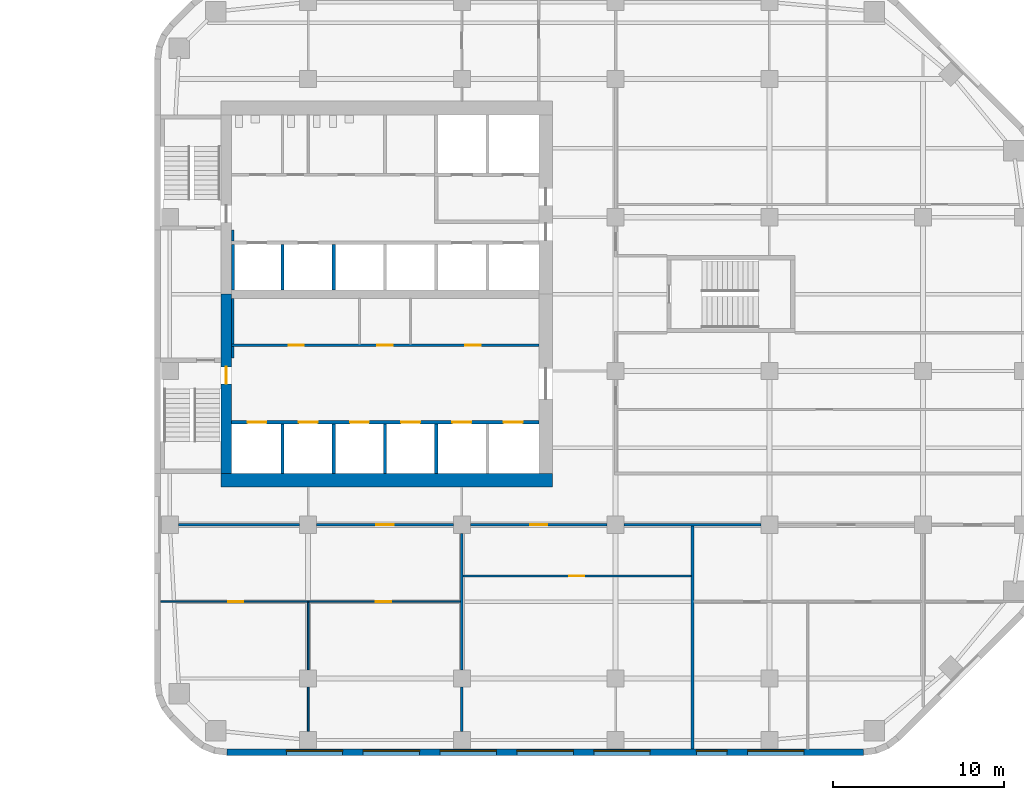
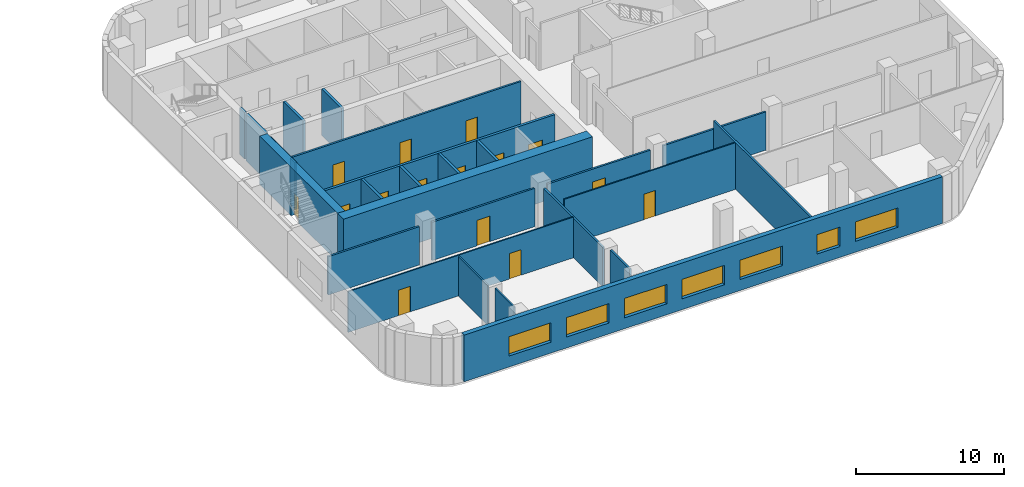
# One storey, part 8 of 14: 26 walls, 15 doors, 7 windows, 22 openings.
"""IFC4 building model written with IfcOpenShell, lengths in metres."""

from ifc_helpers import new_model, si_unit, direction, frame, frame_2d, origin, place, context, subcontext, project, spatial, rectangle, extrude, material, layer, layer_set, type_object, element, fill, save


model = new_model("IFC4")

# Units and contexts
model_context = context("Model", 3, precision=1e-05, world=origin(), true_north=direction((0.0, 1.0)))
body_context = subcontext(model_context, "Body", "Model", "MODEL_VIEW")
ifc_project = project(units=[si_unit("LENGTHUNIT", "METRE"), si_unit("AREAUNIT", "SQUARE_METRE"), si_unit("VOLUMEUNIT", "CUBIC_METRE"), si_unit("PLANEANGLEUNIT", "RADIAN"), si_unit("MASSUNIT", "GRAM", prefix="KILO")], contexts=[model_context])

# Site, building, storey
site_placement = place(None, origin())
site = spatial("IfcSite", under=ifc_project, at=site_placement, CompositionType="ELEMENT")
building_placement = place(site_placement, origin())
building = spatial("IfcBuilding", under=site, at=building_placement, Name="Cinnabar Reach Civic Tower", CompositionType="ELEMENT")
storey_placement = place(building_placement, frame((0.0, 0.0, 104.0)))
storey = spatial("IfcBuildingStorey", under=building, at=storey_placement, Name="L24", CompositionType="ELEMENT", Elevation=104.0)

# Wall, openings, windows
ifc_material_1 = material(Name="Facing brick with insulated backing", Category="masonry")
ifc_layer_1 = layer(ifc_material_1, 0.36)
ifc_layer_set_1 = layer_set([ifc_layer_1], Name="Brick pier and spandrel wall")
wall_type_1 = type_object("IfcWallType", Name="Brick pier and spandrel wall", PredefinedType="STANDARD", material=ifc_layer_set_1)
wall_1_placement = place(storey_placement, frame((4.2426, 4.68, 0.0), z_axis=(0.0, 0.0, 1.0), x_axis=(1.0, 0.0, 0.0)))
wall_1 = element("IfcWall", 1, at=wall_1_placement, inside=storey, type_object=wall_type_1, Name="Brick facade wall", PredefinedType="STANDARD", context=body_context, shape_type="SweptSolid", body=[
    extrude(rectangle(XDim=37.2648, YDim=0.36, at=frame_2d((18.6324, 0.0))), origin(), (0.0, 0.0, 1.0), 3.85),
])
opening_1_placement = place(wall_1_placement, frame((3.4824, 0.0, 0.9)))
opening_1 = element("IfcOpeningElement", 2, at=opening_1_placement, cuts=wall_1, Name="Opening W1501", PredefinedType="OPENING", context=body_context, shape_type="SweptSolid", body=[
    extrude(rectangle(XDim=3.3, YDim=1.6, at=frame_2d((1.65, 0.8))), frame((0.0, 0.19, 0.0), z_axis=(0.0, -1.0, 0.0), x_axis=(1.0, 0.0, 0.0)), (0.0, 0.0, 1.0), 0.38),
])
opening_2_placement = place(wall_1_placement, frame((7.9824, 0.0, 0.9)))
opening_2 = element("IfcOpeningElement", 3, at=opening_2_placement, cuts=wall_1, Name="Opening W1502", PredefinedType="OPENING", context=body_context, shape_type="SweptSolid", body=[
    extrude(rectangle(XDim=3.3, YDim=1.6, at=frame_2d((1.65, 0.8))), frame((0.0, 0.19, 0.0), z_axis=(0.0, -1.0, 0.0), x_axis=(1.0, 0.0, 0.0)), (0.0, 0.0, 1.0), 0.38),
])
opening_3_placement = place(wall_1_placement, frame((12.4824, 0.0, 0.9)))
opening_3 = element("IfcOpeningElement", 4, at=opening_3_placement, cuts=wall_1, Name="Opening W1503", PredefinedType="OPENING", context=body_context, shape_type="SweptSolid", body=[
    extrude(rectangle(XDim=3.3, YDim=1.6, at=frame_2d((1.65, 0.8))), frame((0.0, 0.19, 0.0), z_axis=(0.0, -1.0, 0.0), x_axis=(1.0, 0.0, 0.0)), (0.0, 0.0, 1.0), 0.38),
])
opening_4_placement = place(wall_1_placement, frame((16.9824, 0.0, 0.9)))
opening_4 = element("IfcOpeningElement", 5, at=opening_4_placement, cuts=wall_1, Name="Opening W1504", PredefinedType="OPENING", context=body_context, shape_type="SweptSolid", body=[
    extrude(rectangle(XDim=3.3, YDim=1.6, at=frame_2d((1.65, 0.8))), frame((0.0, 0.19, 0.0), z_axis=(0.0, -1.0, 0.0), x_axis=(1.0, 0.0, 0.0)), (0.0, 0.0, 1.0), 0.38),
])
opening_5_placement = place(wall_1_placement, frame((21.4824, 0.0, 0.9)))
opening_5 = element("IfcOpeningElement", 6, at=opening_5_placement, cuts=wall_1, Name="Opening W1505", PredefinedType="OPENING", context=body_context, shape_type="SweptSolid", body=[
    extrude(rectangle(XDim=3.3, YDim=1.6, at=frame_2d((1.65, 0.8))), frame((0.0, 0.19, 0.0), z_axis=(0.0, -1.0, 0.0), x_axis=(1.0, 0.0, 0.0)), (0.0, 0.0, 1.0), 0.38),
])
opening_6_placement = place(wall_1_placement, frame((27.4824, 0.0, 0.9)))
opening_6 = element("IfcOpeningElement", 7, at=opening_6_placement, cuts=wall_1, Name="Opening W1506", PredefinedType="OPENING", context=body_context, shape_type="SweptSolid", body=[
    extrude(rectangle(XDim=1.8, YDim=1.6, at=frame_2d((0.9, 0.8))), frame((0.0, 0.19, 0.0), z_axis=(0.0, -1.0, 0.0), x_axis=(1.0, 0.0, 0.0)), (0.0, 0.0, 1.0), 0.38),
])
opening_7_placement = place(wall_1_placement, frame((30.4824, 0.0, 0.9)))
opening_7 = element("IfcOpeningElement", 8, at=opening_7_placement, cuts=wall_1, Name="Opening W1507", PredefinedType="OPENING", context=body_context, shape_type="SweptSolid", body=[
    extrude(rectangle(XDim=3.3, YDim=1.6, at=frame_2d((1.65, 0.8))), frame((0.0, 0.19, 0.0), z_axis=(0.0, -1.0, 0.0), x_axis=(1.0, 0.0, 0.0)), (0.0, 0.0, 1.0), 0.38),
])
ifc_material_2 = material(Name="Clear double glazing in aluminium frame", Category="aluminium")
window_type_1 = type_object("IfcWindowType", Name="Deep-set window A", PartitioningType="SINGLE_PANEL", PredefinedType="WINDOW", material=ifc_material_2)
window_1_placement = place(opening_1_placement, origin())
window_1 = element("IfcWindow", 9, at=window_1_placement, inside=storey, type_object=window_type_1, Name="Window south face", OverallHeight=1.6, OverallWidth=3.3, PartitioningType="SINGLE_PANEL", PredefinedType="WINDOW", context=body_context, shape_type="SweptSolid", body=[
    extrude(rectangle(XDim=3.3, YDim=1.6, at=frame_2d((1.65, 0.8))), frame((0.0, 0.13, 0.0), z_axis=(0.0, -1.0, 0.0), x_axis=(1.0, 0.0, 0.0)), (0.0, 0.0, 1.0), 0.06),
])
fill(opening_1, window_1)
window_2_placement = place(opening_2_placement, origin())
window_2 = element("IfcWindow", 10, at=window_2_placement, inside=storey, type_object=window_type_1, Name="Window south face", OverallHeight=1.6, OverallWidth=3.3, PartitioningType="SINGLE_PANEL", PredefinedType="WINDOW", context=body_context, shape_type="SweptSolid", body=[
    extrude(rectangle(XDim=3.3, YDim=1.6, at=frame_2d((1.65, 0.8))), frame((0.0, 0.13, 0.0), z_axis=(0.0, -1.0, 0.0), x_axis=(1.0, 0.0, 0.0)), (0.0, 0.0, 1.0), 0.06),
])
fill(opening_2, window_2)
window_3_placement = place(opening_3_placement, origin())
window_3 = element("IfcWindow", 11, at=window_3_placement, inside=storey, type_object=window_type_1, Name="Window south face", OverallHeight=1.6, OverallWidth=3.3, PartitioningType="SINGLE_PANEL", PredefinedType="WINDOW", context=body_context, shape_type="SweptSolid", body=[
    extrude(rectangle(XDim=3.3, YDim=1.6, at=frame_2d((1.65, 0.8))), frame((0.0, 0.13, 0.0), z_axis=(0.0, -1.0, 0.0), x_axis=(1.0, 0.0, 0.0)), (0.0, 0.0, 1.0), 0.06),
])
fill(opening_3, window_3)
window_4_placement = place(opening_4_placement, origin())
window_4 = element("IfcWindow", 12, at=window_4_placement, inside=storey, type_object=window_type_1, Name="Window south face", OverallHeight=1.6, OverallWidth=3.3, PartitioningType="SINGLE_PANEL", PredefinedType="WINDOW", context=body_context, shape_type="SweptSolid", body=[
    extrude(rectangle(XDim=3.3, YDim=1.6, at=frame_2d((1.65, 0.8))), frame((0.0, 0.13, 0.0), z_axis=(0.0, -1.0, 0.0), x_axis=(1.0, 0.0, 0.0)), (0.0, 0.0, 1.0), 0.06),
])
fill(opening_4, window_4)
window_5_placement = place(opening_5_placement, origin())
window_5 = element("IfcWindow", 13, at=window_5_placement, inside=storey, type_object=window_type_1, Name="Window south face", OverallHeight=1.6, OverallWidth=3.3, PartitioningType="SINGLE_PANEL", PredefinedType="WINDOW", context=body_context, shape_type="SweptSolid", body=[
    extrude(rectangle(XDim=3.3, YDim=1.6, at=frame_2d((1.65, 0.8))), frame((0.0, 0.13, 0.0), z_axis=(0.0, -1.0, 0.0), x_axis=(1.0, 0.0, 0.0)), (0.0, 0.0, 1.0), 0.06),
])
fill(opening_5, window_5)
window_6_placement = place(opening_7_placement, origin())
window_6 = element("IfcWindow", 14, at=window_6_placement, inside=storey, type_object=window_type_1, Name="Window south face", OverallHeight=1.6, OverallWidth=3.3, PartitioningType="SINGLE_PANEL", PredefinedType="WINDOW", context=body_context, shape_type="SweptSolid", body=[
    extrude(rectangle(XDim=3.3, YDim=1.6, at=frame_2d((1.65, 0.8))), frame((0.0, 0.13, 0.0), z_axis=(0.0, -1.0, 0.0), x_axis=(1.0, 0.0, 0.0)), (0.0, 0.0, 1.0), 0.06),
])
fill(opening_7, window_6)
window_type_2 = type_object("IfcWindowType", Name="Deep-set window D", PartitioningType="SINGLE_PANEL", PredefinedType="WINDOW", material=ifc_material_2)
window_7_placement = place(opening_6_placement, origin())
window_7 = element("IfcWindow", 15, at=window_7_placement, inside=storey, type_object=window_type_2, Name="Window south face", OverallHeight=1.6, OverallWidth=1.8, PartitioningType="SINGLE_PANEL", PredefinedType="WINDOW", context=body_context, shape_type="SweptSolid", body=[
    extrude(rectangle(XDim=1.8, YDim=1.6, at=frame_2d((0.9, 0.8))), frame((0.0, 0.13, 0.0), z_axis=(0.0, -1.0, 0.0), x_axis=(1.0, 0.0, 0.0)), (0.0, 0.0, 1.0), 0.06),
])
fill(opening_6, window_7)

# Wall, opening, door
ifc_material_3 = material(Name="Concrete C70", Category="concrete")
ifc_layer_2 = layer(ifc_material_3, 0.6)
ifc_layer_set_2 = layer_set([ifc_layer_2], Name="Core wall 600 EI 180")
wall_type_2 = type_object("IfcWallType", Name="Core wall 600 EI 180", PredefinedType="SOLIDWALL", material=ifc_layer_set_2)
wall_2_placement = place(storey_placement, frame((4.2, 31.5, 0.0), z_axis=(0.0, 0.0, 1.0), x_axis=(0.0, -1.0, 0.0)))
wall_2 = element("IfcWall", 16, at=wall_2_placement, inside=storey, type_object=wall_type_2, Name="Core wall T1 L24 W2", PredefinedType="SOLIDWALL", context=body_context, shape_type="SweptSolid", body=[
    extrude(rectangle(XDim=10.5, YDim=0.6, at=frame_2d((5.25, 0.0))), origin(), (0.0, 0.0, 1.0), 4.0),
])
opening_8_placement = place(wall_2_placement, frame((4.25, 0.0, 0.0)))
opening_8 = element("IfcOpeningElement", 17, at=opening_8_placement, cuts=wall_2, Name="Opening D3961", PredefinedType="OPENING", context=body_context, shape_type="SweptSolid", body=[
    extrude(rectangle(XDim=1.0, YDim=2.1, at=frame_2d((0.5, 1.05))), frame((0.0, 0.31, 0.0), z_axis=(0.0, -1.0, 0.0), x_axis=(1.0, 0.0, 0.0)), (0.0, 0.0, 1.0), 0.62),
])
ifc_material_4 = material(Name="Timber door leaf in steel frame", Category="steel")
door_type_1 = type_object("IfcDoorType", Name="Stair door 1000 x 2100 T1", OperationType="SINGLE_SWING_LEFT", PredefinedType="DOOR", material=ifc_material_4)
door_1_placement = place(opening_8_placement, frame((1.0, 0.0, 0.0), z_axis=(0.0, 0.0, 1.0), x_axis=(-1.0, 0.0, 0.0)))
door_1 = element("IfcDoor", 18, at=door_1_placement, inside=storey, type_object=door_type_1, Name="Door D3961", OperationType="SINGLE_SWING_RIGHT", OverallHeight=2.1, OverallWidth=1.0, PredefinedType="DOOR", context=body_context, shape_type="SweptSolid", body=[
    extrude(rectangle(XDim=1.0, YDim=2.1, at=frame_2d((0.5, 1.05))), frame((0.0, 0.025, 0.0), z_axis=(0.0, -1.0, 0.0), x_axis=(1.0, 0.0, 0.0)), (0.0, 0.0, 1.0), 0.05),
])
fill(opening_8, door_1)

# Walls
ifc_layer_3 = layer(ifc_material_3, 0.8)
ifc_layer_set_3 = layer_set([ifc_layer_3], Name="Core wall 800 EI 180")
wall_type_3 = type_object("IfcWallType", Name="Core wall 800 EI 180", PredefinedType="SOLIDWALL", material=ifc_layer_set_3)
wall_3_placement = place(storey_placement, frame((3.9, 20.6, 0.0), z_axis=(0.0, 0.0, 1.0), x_axis=(1.0, 0.0, 0.0)))
element("IfcWall", 19, at=wall_3_placement, inside=storey, type_object=wall_type_3, Name="Core wall T1 L24 S", PredefinedType="SOLIDWALL", context=body_context, shape_type="SweptSolid", body=[
    extrude(rectangle(XDim=19.4, YDim=0.8, at=frame_2d((9.7, 0.0))), origin(), (0.0, 0.0, 1.0), 4.0),
])
ifc_material_5 = material(Name="Gypsum board on steel studs, double layer", Category="steel")
ifc_layer_4 = layer(ifc_material_5, 0.15)
ifc_layer_set_4 = layer_set([ifc_layer_4], Name="Corridor wall 150 T1")
wall_type_4 = type_object("IfcWallType", Name="Corridor wall 150 T1", PredefinedType="PARTITIONING", material=ifc_layer_set_4)
wall_4_placement = place(storey_placement, frame((27.5, 18.0, 0.0), z_axis=(0.0, 0.0, 1.0), x_axis=(1.0, 0.0, 0.0)))
element("IfcWall", 20, at=wall_4_placement, inside=storey, type_object=wall_type_4, Name="Corridor wall 21", PredefinedType="PARTITIONING", context=body_context, shape_type="SweptSolid", body=[
    extrude(rectangle(XDim=8.0, YDim=0.15, at=frame_2d((4.0, 0.0))), origin(), (0.0, 0.0, 1.0), 3.158),
])

# Wall, opening, door
wall_5_placement = place(storey_placement, frame((18.5, 18.0, 0.0), z_axis=(0.0, 0.0, 1.0), x_axis=(1.0, 0.0, 0.0)))
wall_5 = element("IfcWall", 21, at=wall_5_placement, inside=storey, type_object=wall_type_4, Name="Corridor wall 22", PredefinedType="PARTITIONING", context=body_context, shape_type="SweptSolid", body=[
    extrude(rectangle(XDim=8.0, YDim=0.15, at=frame_2d((4.0, 0.0))), origin(), (0.0, 0.0, 1.0), 3.158),
])
opening_9_placement = place(wall_5_placement, frame((3.5, 0.0, 0.0)))
opening_9 = element("IfcOpeningElement", 22, at=opening_9_placement, cuts=wall_5, Name="Opening D3996", PredefinedType="OPENING", context=body_context, shape_type="SweptSolid", body=[
    extrude(rectangle(XDim=1.0, YDim=2.1, at=frame_2d((0.5, 1.05))), frame((0.0, 0.085, 0.0), z_axis=(0.0, -1.0, 0.0), x_axis=(1.0, 0.0, 0.0)), (0.0, 0.0, 1.0), 0.17),
])
door_type_2 = type_object("IfcDoorType", Name="Tenancy entrance door 1000 x 2100 T1", OperationType="SINGLE_SWING_LEFT", PredefinedType="DOOR", material=ifc_material_4)
door_2_placement = place(opening_9_placement, frame((1.0, 0.0, 0.0), z_axis=(0.0, 0.0, 1.0), x_axis=(-1.0, 0.0, 0.0)))
door_2 = element("IfcDoor", 23, at=door_2_placement, inside=storey, type_object=door_type_2, Name="Door D3996", OperationType="SINGLE_SWING_LEFT", OverallHeight=2.1, OverallWidth=1.0, PredefinedType="DOOR", context=body_context, shape_type="SweptSolid", body=[
    extrude(rectangle(XDim=1.0, YDim=2.1, at=frame_2d((0.5, 1.05))), frame((0.0, 0.025, 0.0), z_axis=(0.0, -1.0, 0.0), x_axis=(1.0, 0.0, 0.0)), (0.0, 0.0, 1.0), 0.05),
])
fill(opening_9, door_2)

wall_6_placement = place(storey_placement, frame((9.5, 18.0, 0.0), z_axis=(0.0, 0.0, 1.0), x_axis=(1.0, 0.0, 0.0)))
wall_6 = element("IfcWall", 24, at=wall_6_placement, inside=storey, type_object=wall_type_4, Name="Corridor wall 23", PredefinedType="PARTITIONING", context=body_context, shape_type="SweptSolid", body=[
    extrude(rectangle(XDim=8.0, YDim=0.15, at=frame_2d((4.0, 0.0))), origin(), (0.0, 0.0, 1.0), 3.158),
])
opening_10_placement = place(wall_6_placement, frame((3.5, 0.0, 0.0)))
opening_10 = element("IfcOpeningElement", 25, at=opening_10_placement, cuts=wall_6, Name="Opening D3993", PredefinedType="OPENING", context=body_context, shape_type="SweptSolid", body=[
    extrude(rectangle(XDim=1.0, YDim=2.1, at=frame_2d((0.5, 1.05))), frame((0.0, 0.085, 0.0), z_axis=(0.0, -1.0, 0.0), x_axis=(1.0, 0.0, 0.0)), (0.0, 0.0, 1.0), 0.17),
])
door_3_placement = place(opening_10_placement, frame((1.0, 0.0, 0.0), z_axis=(0.0, 0.0, 1.0), x_axis=(-1.0, 0.0, 0.0)))
door_3 = element("IfcDoor", 26, at=door_3_placement, inside=storey, type_object=door_type_2, Name="Door D3993", OperationType="SINGLE_SWING_RIGHT", OverallHeight=2.1, OverallWidth=1.0, PredefinedType="DOOR", context=body_context, shape_type="SweptSolid", body=[
    extrude(rectangle(XDim=1.0, YDim=2.1, at=frame_2d((0.5, 1.05))), frame((0.0, 0.025, 0.0), z_axis=(0.0, -1.0, 0.0), x_axis=(1.0, 0.0, 0.0)), (0.0, 0.0, 1.0), 0.05),
])
fill(opening_10, door_3)

# Wall
wall_7_placement = place(storey_placement, frame((1.4, 18.0, 0.0), z_axis=(0.0, 0.0, 1.0), x_axis=(1.0, 0.0, 0.0)))
element("IfcWall", 27, at=wall_7_placement, inside=storey, type_object=wall_type_4, Name="Corridor wall 24", PredefinedType="PARTITIONING", context=body_context, shape_type="SweptSolid", body=[
    extrude(rectangle(XDim=7.1, YDim=0.15, at=frame_2d((3.55, 0.0))), origin(), (0.0, 0.0, 1.0), 3.158),
])

# Wall, openings, doors
wall_8_placement = place(storey_placement, frame((4.5, 28.5, 0.0), z_axis=(0.0, 0.0, 1.0), x_axis=(1.0, 0.0, 0.0)))
wall_8 = element("IfcWall", 28, at=wall_8_placement, inside=storey, type_object=wall_type_4, Name="Corridor wall 26", PredefinedType="PARTITIONING", context=body_context, shape_type="SweptSolid", body=[
    extrude(rectangle(XDim=18.0, YDim=0.15, at=frame_2d((9.0, 0.0))), origin(), (0.0, 0.0, 1.0), 3.85),
])
opening_11_placement = place(wall_8_placement, frame((3.35, 0.0, 0.0)))
opening_11 = element("IfcOpeningElement", 29, at=opening_11_placement, cuts=wall_8, Name="Opening D3981", PredefinedType="OPENING", context=body_context, shape_type="SweptSolid", body=[
    extrude(rectangle(XDim=0.9, YDim=2.1, at=frame_2d((0.45, 1.05))), frame((0.0, 0.085, 0.0), z_axis=(0.0, -1.0, 0.0), x_axis=(1.0, 0.0, 0.0)), (0.0, 0.0, 1.0), 0.17),
])
opening_12_placement = place(wall_8_placement, frame((8.55, 0.0, 0.0)))
opening_12 = element("IfcOpeningElement", 30, at=opening_12_placement, cuts=wall_8, Name="Opening D3982", PredefinedType="OPENING", context=body_context, shape_type="SweptSolid", body=[
    extrude(rectangle(XDim=0.9, YDim=2.1, at=frame_2d((0.45, 1.05))), frame((0.0, 0.085, 0.0), z_axis=(0.0, -1.0, 0.0), x_axis=(1.0, 0.0, 0.0)), (0.0, 0.0, 1.0), 0.17),
])
opening_13_placement = place(wall_8_placement, frame((13.7, 0.0, 0.0)))
opening_13 = element("IfcOpeningElement", 31, at=opening_13_placement, cuts=wall_8, Name="Opening D3983", PredefinedType="OPENING", context=body_context, shape_type="SweptSolid", body=[
    extrude(rectangle(XDim=0.9, YDim=2.1, at=frame_2d((0.45, 1.05))), frame((0.0, 0.085, 0.0), z_axis=(0.0, -1.0, 0.0), x_axis=(1.0, 0.0, 0.0)), (0.0, 0.0, 1.0), 0.17),
])
door_type_3 = type_object("IfcDoorType", Name="Single swing door 900 x 2100 corridor T1", OperationType="SINGLE_SWING_LEFT", PredefinedType="DOOR", material=ifc_material_4)
door_4_placement = place(opening_11_placement, origin())
door_4 = element("IfcDoor", 32, at=door_4_placement, inside=storey, type_object=door_type_3, Name="Door D3981", OperationType="SINGLE_SWING_LEFT", OverallHeight=2.1, OverallWidth=0.9, PredefinedType="DOOR", context=body_context, shape_type="SweptSolid", body=[
    extrude(rectangle(XDim=0.9, YDim=2.1, at=frame_2d((0.45, 1.05))), frame((0.0, 0.025, 0.0), z_axis=(0.0, -1.0, 0.0), x_axis=(1.0, 0.0, 0.0)), (0.0, 0.0, 1.0), 0.05),
])
fill(opening_11, door_4)
door_5_placement = place(opening_12_placement, origin())
door_5 = element("IfcDoor", 33, at=door_5_placement, inside=storey, type_object=door_type_3, Name="Door D3982", OperationType="SINGLE_SWING_LEFT", OverallHeight=2.1, OverallWidth=0.9, PredefinedType="DOOR", context=body_context, shape_type="SweptSolid", body=[
    extrude(rectangle(XDim=0.9, YDim=2.1, at=frame_2d((0.45, 1.05))), frame((0.0, 0.025, 0.0), z_axis=(0.0, -1.0, 0.0), x_axis=(1.0, 0.0, 0.0)), (0.0, 0.0, 1.0), 0.05),
])
fill(opening_12, door_5)
door_6_placement = place(opening_13_placement, origin())
door_6 = element("IfcDoor", 34, at=door_6_placement, inside=storey, type_object=door_type_3, Name="Door D3983", OperationType="SINGLE_SWING_LEFT", OverallHeight=2.1, OverallWidth=0.9, PredefinedType="DOOR", context=body_context, shape_type="SweptSolid", body=[
    extrude(rectangle(XDim=0.9, YDim=2.1, at=frame_2d((0.45, 1.05))), frame((0.0, 0.025, 0.0), z_axis=(0.0, -1.0, 0.0), x_axis=(1.0, 0.0, 0.0)), (0.0, 0.0, 1.0), 0.05),
])
fill(opening_13, door_6)

# Walls
wall_9_placement = place(storey_placement, frame((4.575, 27.75, 0.0), z_axis=(0.0, 0.0, 1.0), x_axis=(0.0, 1.0, 0.0)))
element("IfcWall", 35, at=wall_9_placement, inside=storey, type_object=wall_type_4, Name="Corridor wall 34", PredefinedType="PARTITIONING", context=body_context, shape_type="SweptSolid", body=[
    extrude(rectangle(XDim=0.675, YDim=0.15, at=frame_2d((0.3375, 0.0))), origin(), (0.0, 0.0, 1.0), 3.85),
])
wall_10_placement = place(storey_placement, frame((4.575, 28.575, 0.0), z_axis=(0.0, 0.0, 1.0), x_axis=(0.0, 1.0, 0.0)))
element("IfcWall", 36, at=wall_10_placement, inside=storey, type_object=wall_type_4, Name="Corridor wall 35", PredefinedType="PARTITIONING", context=body_context, shape_type="SweptSolid", body=[
    extrude(rectangle(XDim=2.675, YDim=0.15, at=frame_2d((1.3375, 0.0))), origin(), (0.0, 0.0, 1.0), 3.85),
])
wall_11_placement = place(storey_placement, frame((4.575, 34.6, 0.0), z_axis=(0.0, 0.0, 1.0), x_axis=(0.0, 1.0, 0.0)))
element("IfcWall", 37, at=wall_11_placement, inside=storey, type_object=wall_type_4, Name="Corridor wall 38", PredefinedType="PARTITIONING", context=body_context, shape_type="SweptSolid", body=[
    extrude(rectangle(XDim=0.65, YDim=0.15, at=frame_2d((0.325, 0.0))), origin(), (0.0, 0.0, 1.0), 3.85),
])

# Wall, openings, doors
ifc_material_6 = material(Name="Blockwork", Category="masonry")
ifc_layer_5 = layer(ifc_material_6, 0.2)
ifc_layer_set_5 = layer_set([ifc_layer_5], Name="Lift shaft wall 200 T1")
wall_type_5 = type_object("IfcWallType", Name="Lift shaft wall 200 T1", PredefinedType="PARTITIONING", material=ifc_layer_set_5)
wall_12_placement = place(storey_placement, frame((4.5, 24.0, 0.0), z_axis=(0.0, 0.0, 1.0), x_axis=(1.0, 0.0, 0.0)))
wall_12 = element("IfcWall", 38, at=wall_12_placement, inside=storey, type_object=wall_type_5, Name="Lift shaft wall 4", PredefinedType="PARTITIONING", context=body_context, shape_type="SweptSolid", body=[
    extrude(rectangle(XDim=18.0, YDim=0.2, at=frame_2d((9.0, 0.0))), origin(), (0.0, 0.0, 1.0), 3.85),
])
opening_14_placement = place(wall_12_placement, frame((0.95, 0.0, 0.0)))
opening_14 = element("IfcOpeningElement", 39, at=opening_14_placement, cuts=wall_12, Name="Opening D3965", PredefinedType="OPENING", context=body_context, shape_type="SweptSolid", body=[
    extrude(rectangle(XDim=1.1, YDim=2.1, at=frame_2d((0.55, 1.05))), frame((0.0, 0.11, 0.0), z_axis=(0.0, -1.0, 0.0), x_axis=(1.0, 0.0, 0.0)), (0.0, 0.0, 1.0), 0.22),
])
opening_15_placement = place(wall_12_placement, frame((3.95, 0.0, 0.0)))
opening_15 = element("IfcOpeningElement", 40, at=opening_15_placement, cuts=wall_12, Name="Opening D3966", PredefinedType="OPENING", context=body_context, shape_type="SweptSolid", body=[
    extrude(rectangle(XDim=1.1, YDim=2.1, at=frame_2d((0.55, 1.05))), frame((0.0, 0.11, 0.0), z_axis=(0.0, -1.0, 0.0), x_axis=(1.0, 0.0, 0.0)), (0.0, 0.0, 1.0), 0.22),
])
opening_16_placement = place(wall_12_placement, frame((6.95, 0.0, 0.0)))
opening_16 = element("IfcOpeningElement", 41, at=opening_16_placement, cuts=wall_12, Name="Opening D3967", PredefinedType="OPENING", context=body_context, shape_type="SweptSolid", body=[
    extrude(rectangle(XDim=1.1, YDim=2.1, at=frame_2d((0.55, 1.05))), frame((0.0, 0.11, 0.0), z_axis=(0.0, -1.0, 0.0), x_axis=(1.0, 0.0, 0.0)), (0.0, 0.0, 1.0), 0.22),
])
opening_17_placement = place(wall_12_placement, frame((9.95, 0.0, 0.0)))
opening_17 = element("IfcOpeningElement", 42, at=opening_17_placement, cuts=wall_12, Name="Opening D3968", PredefinedType="OPENING", context=body_context, shape_type="SweptSolid", body=[
    extrude(rectangle(XDim=1.1, YDim=2.1, at=frame_2d((0.55, 1.05))), frame((0.0, 0.11, 0.0), z_axis=(0.0, -1.0, 0.0), x_axis=(1.0, 0.0, 0.0)), (0.0, 0.0, 1.0), 0.22),
])
opening_18_placement = place(wall_12_placement, frame((12.95, 0.0, 0.0)))
opening_18 = element("IfcOpeningElement", 43, at=opening_18_placement, cuts=wall_12, Name="Opening D3969", PredefinedType="OPENING", context=body_context, shape_type="SweptSolid", body=[
    extrude(rectangle(XDim=1.1, YDim=2.1, at=frame_2d((0.55, 1.05))), frame((0.0, 0.11, 0.0), z_axis=(0.0, -1.0, 0.0), x_axis=(1.0, 0.0, 0.0)), (0.0, 0.0, 1.0), 0.22),
])
opening_19_placement = place(wall_12_placement, frame((15.95, 0.0, 0.0)))
opening_19 = element("IfcOpeningElement", 44, at=opening_19_placement, cuts=wall_12, Name="Opening D3970", PredefinedType="OPENING", context=body_context, shape_type="SweptSolid", body=[
    extrude(rectangle(XDim=1.1, YDim=2.1, at=frame_2d((0.55, 1.05))), frame((0.0, 0.11, 0.0), z_axis=(0.0, -1.0, 0.0), x_axis=(1.0, 0.0, 0.0)), (0.0, 0.0, 1.0), 0.22),
])
ifc_material_7 = material(Name="Stainless steel sliding door", Category="steel")
door_type_4 = type_object("IfcDoorType", Name="Lift landing door 1100 x 2100 T1", OperationType="SLIDING_TO_LEFT", PredefinedType="DOOR", material=ifc_material_7)
door_7_placement = place(opening_14_placement, origin())
door_7 = element("IfcDoor", 45, at=door_7_placement, inside=storey, type_object=door_type_4, Name="Lift landing door LR1 L24", OperationType="SLIDING_TO_LEFT", OverallHeight=2.1, OverallWidth=1.1, PredefinedType="DOOR", context=body_context, shape_type="SweptSolid", body=[
    extrude(rectangle(XDim=1.1, YDim=2.1, at=frame_2d((0.55, 1.05))), frame((0.0, 0.025, 0.0), z_axis=(0.0, -1.0, 0.0), x_axis=(1.0, 0.0, 0.0)), (0.0, 0.0, 1.0), 0.05),
])
fill(opening_14, door_7)
door_8_placement = place(opening_15_placement, origin())
door_8 = element("IfcDoor", 46, at=door_8_placement, inside=storey, type_object=door_type_4, Name="Lift landing door LR2 L24", OperationType="SLIDING_TO_LEFT", OverallHeight=2.1, OverallWidth=1.1, PredefinedType="DOOR", context=body_context, shape_type="SweptSolid", body=[
    extrude(rectangle(XDim=1.1, YDim=2.1, at=frame_2d((0.55, 1.05))), frame((0.0, 0.025, 0.0), z_axis=(0.0, -1.0, 0.0), x_axis=(1.0, 0.0, 0.0)), (0.0, 0.0, 1.0), 0.05),
])
fill(opening_15, door_8)
door_9_placement = place(opening_16_placement, origin())
door_9 = element("IfcDoor", 47, at=door_9_placement, inside=storey, type_object=door_type_4, Name="Lift landing door LR3 L24", OperationType="SLIDING_TO_LEFT", OverallHeight=2.1, OverallWidth=1.1, PredefinedType="DOOR", context=body_context, shape_type="SweptSolid", body=[
    extrude(rectangle(XDim=1.1, YDim=2.1, at=frame_2d((0.55, 1.05))), frame((0.0, 0.025, 0.0), z_axis=(0.0, -1.0, 0.0), x_axis=(1.0, 0.0, 0.0)), (0.0, 0.0, 1.0), 0.05),
])
fill(opening_16, door_9)
door_10_placement = place(opening_17_placement, origin())
door_10 = element("IfcDoor", 48, at=door_10_placement, inside=storey, type_object=door_type_4, Name="Lift landing door LR4 L24", OperationType="SLIDING_TO_LEFT", OverallHeight=2.1, OverallWidth=1.1, PredefinedType="DOOR", context=body_context, shape_type="SweptSolid", body=[
    extrude(rectangle(XDim=1.1, YDim=2.1, at=frame_2d((0.55, 1.05))), frame((0.0, 0.025, 0.0), z_axis=(0.0, -1.0, 0.0), x_axis=(1.0, 0.0, 0.0)), (0.0, 0.0, 1.0), 0.05),
])
fill(opening_17, door_10)
door_11_placement = place(opening_18_placement, origin())
door_11 = element("IfcDoor", 49, at=door_11_placement, inside=storey, type_object=door_type_4, Name="Lift landing door LR5 L24", OperationType="SLIDING_TO_LEFT", OverallHeight=2.1, OverallWidth=1.1, PredefinedType="DOOR", context=body_context, shape_type="SweptSolid", body=[
    extrude(rectangle(XDim=1.1, YDim=2.1, at=frame_2d((0.55, 1.05))), frame((0.0, 0.025, 0.0), z_axis=(0.0, -1.0, 0.0), x_axis=(1.0, 0.0, 0.0)), (0.0, 0.0, 1.0), 0.05),
])
fill(opening_18, door_11)
door_12_placement = place(opening_19_placement, origin())
door_12 = element("IfcDoor", 50, at=door_12_placement, inside=storey, type_object=door_type_4, Name="Lift landing door LR6 L24", OperationType="SLIDING_TO_LEFT", OverallHeight=2.1, OverallWidth=1.1, PredefinedType="DOOR", context=body_context, shape_type="SweptSolid", body=[
    extrude(rectangle(XDim=1.1, YDim=2.1, at=frame_2d((0.55, 1.05))), frame((0.0, 0.025, 0.0), z_axis=(0.0, -1.0, 0.0), x_axis=(1.0, 0.0, 0.0)), (0.0, 0.0, 1.0), 0.05),
])
fill(opening_19, door_12)

# Walls
wall_13_placement = place(storey_placement, frame((4.6, 31.75, 0.0), z_axis=(0.0, 0.0, 1.0), x_axis=(0.0, 1.0, 0.0)))
element("IfcWall", 51, at=wall_13_placement, inside=storey, type_object=wall_type_5, Name="Lift shaft wall 8", PredefinedType="PARTITIONING", context=body_context, shape_type="SweptSolid", body=[
    extrude(rectangle(XDim=2.65, YDim=0.2, at=frame_2d((1.325, 0.0))), origin(), (0.0, 0.0, 1.0), 3.85),
])
wall_14_placement = place(storey_placement, frame((7.5, 21.0, 0.0), z_axis=(0.0, 0.0, 1.0), x_axis=(0.0, 1.0, 0.0)))
element("IfcWall", 52, at=wall_14_placement, inside=storey, type_object=wall_type_5, Name="Lift shaft wall 9", PredefinedType="PARTITIONING", context=body_context, shape_type="SweptSolid", body=[
    extrude(rectangle(XDim=2.9, YDim=0.2, at=frame_2d((1.45, 0.0))), origin(), (0.0, 0.0, 1.0), 3.85),
])
wall_15_placement = place(storey_placement, frame((7.5, 31.75, 0.0), z_axis=(0.0, 0.0, 1.0), x_axis=(0.0, 1.0, 0.0)))
element("IfcWall", 53, at=wall_15_placement, inside=storey, type_object=wall_type_5, Name="Lift shaft wall 10", PredefinedType="PARTITIONING", context=body_context, shape_type="SweptSolid", body=[
    extrude(rectangle(XDim=2.65, YDim=0.2, at=frame_2d((1.325, 0.0))), origin(), (0.0, 0.0, 1.0), 3.85),
])
wall_16_placement = place(storey_placement, frame((10.5, 21.0, 0.0), z_axis=(0.0, 0.0, 1.0), x_axis=(0.0, 1.0, 0.0)))
element("IfcWall", 54, at=wall_16_placement, inside=storey, type_object=wall_type_5, Name="Lift shaft wall 11", PredefinedType="PARTITIONING", context=body_context, shape_type="SweptSolid", body=[
    extrude(rectangle(XDim=2.9, YDim=0.2, at=frame_2d((1.45, 0.0))), origin(), (0.0, 0.0, 1.0), 3.85),
])
wall_17_placement = place(storey_placement, frame((10.5, 31.75, 0.0), z_axis=(0.0, 0.0, 1.0), x_axis=(0.0, 1.0, 0.0)))
element("IfcWall", 55, at=wall_17_placement, inside=storey, type_object=wall_type_5, Name="Lift shaft wall 12", PredefinedType="PARTITIONING", context=body_context, shape_type="SweptSolid", body=[
    extrude(rectangle(XDim=2.65, YDim=0.2, at=frame_2d((1.325, 0.0))), origin(), (0.0, 0.0, 1.0), 3.85),
])
for number, where, z_axis, x_axis, name in (
    (56, (13.5, 21.0, 0.0), (0.0, 0.0, 1.0), (0.0, 1.0, 0.0), "Lift shaft wall 13"),
    (57, (16.5, 21.0, 0.0), (0.0, 0.0, 1.0), (0.0, 1.0, 0.0), "Lift shaft wall 15"),
):
    element("IfcWall", number, at=place(storey_placement, frame(where, z_axis=z_axis, x_axis=x_axis)), inside=storey, type_object=wall_type_5, Name=name, PredefinedType="PARTITIONING", context=body_context, shape_type="SweptSolid", body=[
        extrude(rectangle(XDim=2.9, YDim=0.2, at=frame_2d((1.45, 0.0))), origin(), (0.0, 0.0, 1.0), 3.85),
    ])

# Wall, openings, doors
ifc_material_8 = material(Name="Gypsum board on steel studs", Category="steel")
ifc_layer_6 = layer(ifc_material_8, 0.1)
ifc_layer_set_6 = layer_set([ifc_layer_6], Name="Partition wall 100 T1")
wall_type_6 = type_object("IfcWallType", Name="Partition wall 100 T1", PredefinedType="PARTITIONING", material=ifc_layer_set_6)
wall_18_placement = place(storey_placement, frame((0.36, 13.5, 0.0), z_axis=(0.0, 0.0, 1.0), x_axis=(1.0, 0.0, 0.0)))
wall_18 = element("IfcWall", 58, at=wall_18_placement, inside=storey, type_object=wall_type_6, Name="Partition wall 49", PredefinedType="PARTITIONING", context=body_context, shape_type="SweptSolid", body=[
    extrude(rectangle(XDim=17.565, YDim=0.1, at=frame_2d((8.7825, 0.0))), origin(), (0.0, 0.0, 1.0), 3.354),
])
opening_20_placement = place(wall_18_placement, frame((3.95, 0.0, 0.0)))
opening_20 = element("IfcOpeningElement", 59, at=opening_20_placement, cuts=wall_18, Name="Opening D3994", PredefinedType="OPENING", context=body_context, shape_type="SweptSolid", body=[
    extrude(rectangle(XDim=0.9, YDim=2.1, at=frame_2d((0.45, 1.05))), frame((0.0, 0.06, 0.0), z_axis=(0.0, -1.0, 0.0), x_axis=(1.0, 0.0, 0.0)), (0.0, 0.0, 1.0), 0.12),
])
opening_21_placement = place(wall_18_placement, frame((12.59, 0.0, 0.0)))
opening_21 = element("IfcOpeningElement", 60, at=opening_21_placement, cuts=wall_18, Name="Opening D3995", PredefinedType="OPENING", context=body_context, shape_type="SweptSolid", body=[
    extrude(rectangle(XDim=0.9, YDim=2.1, at=frame_2d((0.45, 1.05))), frame((0.0, 0.06, 0.0), z_axis=(0.0, -1.0, 0.0), x_axis=(1.0, 0.0, 0.0)), (0.0, 0.0, 1.0), 0.12),
])
door_type_5 = type_object("IfcDoorType", Name="Single swing door 900 x 2100 T1", OperationType="SINGLE_SWING_LEFT", PredefinedType="DOOR", material=ifc_material_4)
door_13_placement = place(opening_20_placement, frame((0.9, 0.0, 0.0), z_axis=(0.0, 0.0, 1.0), x_axis=(-1.0, 0.0, 0.0)))
door_13 = element("IfcDoor", 61, at=door_13_placement, inside=storey, type_object=door_type_5, Name="Door D3994", OperationType="SINGLE_SWING_RIGHT", OverallHeight=2.1, OverallWidth=0.9, PredefinedType="DOOR", context=body_context, shape_type="SweptSolid", body=[
    extrude(rectangle(XDim=0.9, YDim=2.1, at=frame_2d((0.45, 1.05))), frame((0.0, 0.025, 0.0), z_axis=(0.0, -1.0, 0.0), x_axis=(1.0, 0.0, 0.0)), (0.0, 0.0, 1.0), 0.05),
])
fill(opening_20, door_13)
door_14_placement = place(opening_21_placement, frame((0.9, 0.0, 0.0), z_axis=(0.0, 0.0, 1.0), x_axis=(-1.0, 0.0, 0.0)))
door_14 = element("IfcDoor", 62, at=door_14_placement, inside=storey, type_object=door_type_5, Name="Door D3995", OperationType="SINGLE_SWING_LEFT", OverallHeight=2.1, OverallWidth=0.9, PredefinedType="DOOR", context=body_context, shape_type="SweptSolid", body=[
    extrude(rectangle(XDim=0.9, YDim=2.1, at=frame_2d((0.45, 1.05))), frame((0.0, 0.025, 0.0), z_axis=(0.0, -1.0, 0.0), x_axis=(1.0, 0.0, 0.0)), (0.0, 0.0, 1.0), 0.05),
])
fill(opening_21, door_14)

# Wall, opening, door
wall_19_placement = place(storey_placement, frame((18.075, 15.0, 0.0), z_axis=(0.0, 0.0, 1.0), x_axis=(1.0, 0.0, 0.0)))
wall_19 = element("IfcWall", 63, at=wall_19_placement, inside=storey, type_object=wall_type_6, Name="Partition wall 50", PredefinedType="PARTITIONING", context=body_context, shape_type="SweptSolid", body=[
    extrude(rectangle(XDim=13.35, YDim=0.1, at=frame_2d((6.675, 0.0))), origin(), (0.0, 0.0, 1.0), 3.85),
])
opening_22_placement = place(wall_19_placement, frame((6.2, 0.0, 0.0)))
opening_22 = element("IfcOpeningElement", 64, at=opening_22_placement, cuts=wall_19, Name="Opening D3997", PredefinedType="OPENING", context=body_context, shape_type="SweptSolid", body=[
    extrude(rectangle(XDim=0.9, YDim=2.1, at=frame_2d((0.45, 1.05))), frame((0.0, 0.06, 0.0), z_axis=(0.0, -1.0, 0.0), x_axis=(1.0, 0.0, 0.0)), (0.0, 0.0, 1.0), 0.12),
])
door_15_placement = place(opening_22_placement, origin())
door_15 = element("IfcDoor", 65, at=door_15_placement, inside=storey, type_object=door_type_5, Name="Door D3997", OperationType="SINGLE_SWING_RIGHT", OverallHeight=2.1, OverallWidth=0.9, PredefinedType="DOOR", context=body_context, shape_type="SweptSolid", body=[
    extrude(rectangle(XDim=0.9, YDim=2.1, at=frame_2d((0.45, 1.05))), frame((0.0, 0.025, 0.0), z_axis=(0.0, -1.0, 0.0), x_axis=(1.0, 0.0, 0.0)), (0.0, 0.0, 1.0), 0.05),
])
fill(opening_22, door_15)

# Walls
wall_20_placement = place(storey_placement, frame((9.0, 5.9, 0.0), z_axis=(0.0, 0.0, 1.0), x_axis=(0.0, 1.0, 0.0)))
element("IfcWall", 66, at=wall_20_placement, inside=storey, type_object=wall_type_6, Name="Partition wall 52", PredefinedType="PARTITIONING", context=body_context, shape_type="SweptSolid", body=[
    extrude(rectangle(XDim=2.6, YDim=0.1, at=frame_2d((1.3, 0.0))), origin(), (0.0, 0.0, 1.0), 3.652),
])
wall_21_placement = place(storey_placement, frame((9.0, 9.5, 0.0), z_axis=(0.0, 0.0, 1.0), x_axis=(0.0, 1.0, 0.0)))
element("IfcWall", 67, at=wall_21_placement, inside=storey, type_object=wall_type_6, Name="Partition wall 53", PredefinedType="PARTITIONING", context=body_context, shape_type="SweptSolid", body=[
    extrude(rectangle(XDim=3.95, YDim=0.1, at=frame_2d((1.975, 0.0))), origin(), (0.0, 0.0, 1.0), 3.256),
])
ifc_layer_7 = layer(ifc_material_5, 0.15)
ifc_layer_set_7 = layer_set([ifc_layer_7], Name="Tenancy separating wall 150 T1")
wall_type_7 = type_object("IfcWallType", Name="Tenancy separating wall 150 T1", PredefinedType="PARTITIONING", material=ifc_layer_set_7)
wall_22_placement = place(storey_placement, frame((18.0, 5.9, 0.0), z_axis=(0.0, 0.0, 1.0), x_axis=(0.0, 1.0, 0.0)))
element("IfcWall", 68, at=wall_22_placement, inside=storey, type_object=wall_type_7, Name="Tenancy separating wall 41", PredefinedType="PARTITIONING", context=body_context, shape_type="SweptSolid", body=[
    extrude(rectangle(XDim=2.6, YDim=0.15, at=frame_2d((1.3, 0.0))), origin(), (0.0, 0.0, 1.0), 3.652),
])
wall_23_placement = place(storey_placement, frame((18.0, 9.5, 0.0), z_axis=(0.0, 0.0, 1.0), x_axis=(0.0, 1.0, 0.0)))
element("IfcWall", 69, at=wall_23_placement, inside=storey, type_object=wall_type_7, Name="Tenancy separating wall 42", PredefinedType="PARTITIONING", context=body_context, shape_type="SweptSolid", body=[
    extrude(rectangle(XDim=8.0, YDim=0.15, at=frame_2d((4.0, 0.0))), origin(), (0.0, 0.0, 1.0), 3.256),
])
wall_24_placement = place(storey_placement, frame((31.5, 4.86, 0.0), z_axis=(0.0, 0.0, 1.0), x_axis=(0.0, 1.0, 0.0)))
element("IfcWall", 70, at=wall_24_placement, inside=storey, type_object=wall_type_7, Name="Tenancy separating wall 43", PredefinedType="PARTITIONING", context=body_context, shape_type="SweptSolid", body=[
    extrude(rectangle(XDim=13.065, YDim=0.15, at=frame_2d((6.5325, 0.0))), origin(), (0.0, 0.0, 1.0), 3.85),
])

save(model, "model.ifc")
